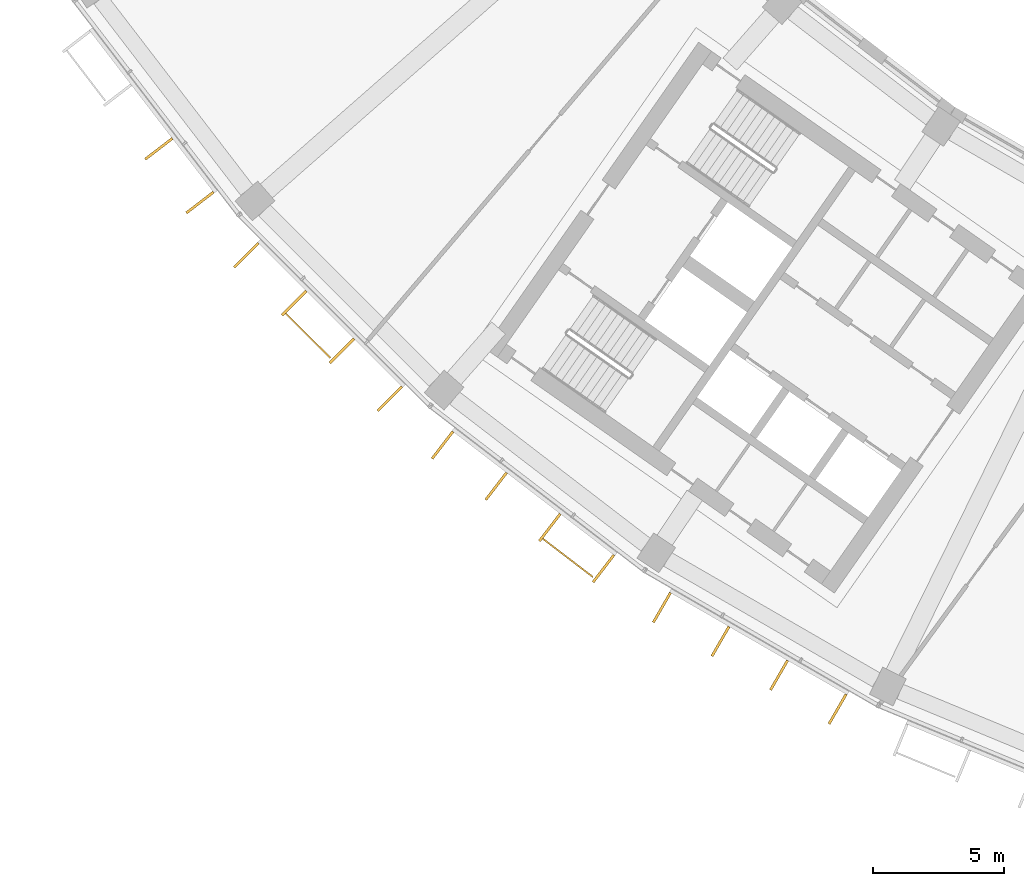
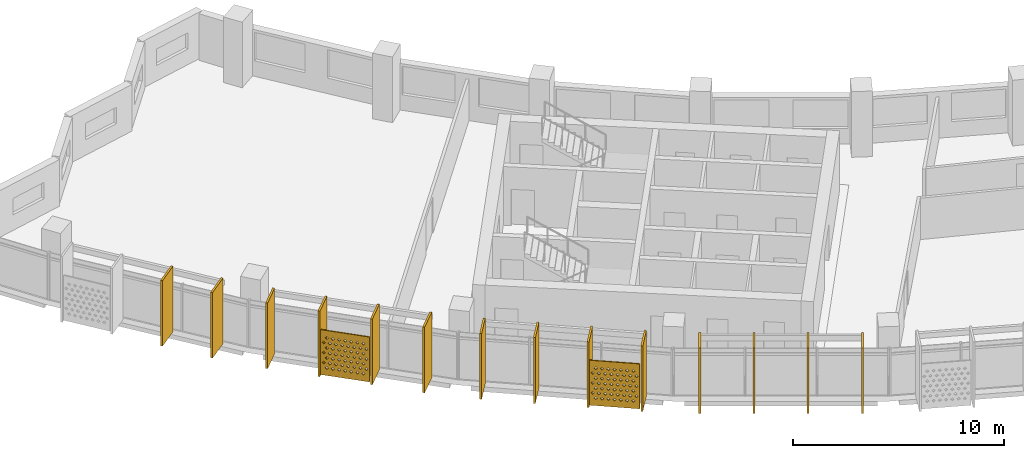
# One storey, part 22 of 28: 16 shading devices.
"""IFC4 building model written with IfcOpenShell, lengths in metres."""

from ifc_helpers import new_model, si_unit, direction, frame, origin, origin_2d, place, context, subcontext, project, spatial, polyline, rectangle, outline, extrude, material, material_profile, profile_set, type_object, element, save


model = new_model("IFC4")

# Units and contexts
model_context = context("Model", 3, precision=1e-05, world=origin(), true_north=direction((0.0, 1.0)))
body_context = subcontext(model_context, "Body", "Model", "MODEL_VIEW")
ifc_project = project(units=[si_unit("LENGTHUNIT", "METRE"), si_unit("AREAUNIT", "SQUARE_METRE"), si_unit("VOLUMEUNIT", "CUBIC_METRE"), si_unit("PLANEANGLEUNIT", "RADIAN"), si_unit("MASSUNIT", "GRAM", prefix="KILO")], contexts=[model_context])

# Site, building, storey
site_placement = place(None, origin())
site = spatial("IfcSite", under=ifc_project, at=site_placement, CompositionType="ELEMENT")
building_placement = place(site_placement, origin())
building = spatial("IfcBuilding", under=site, at=building_placement, Name="Qamariyya Broadcast Tower", CompositionType="ELEMENT")
storey_placement = place(building_placement, frame((0.0, 0.0, 249.300048828125)))
storey = spatial("IfcBuildingStorey", under=building, at=storey_placement, Name="L60", CompositionType="ELEMENT", Elevation=249.300048828125)

# Shading devices
ifc_material_1 = material(Name="Perforated glazed terracotta", Category="masonry")
ifc_material_profile_1 = material_profile(ifc_material_1, outline(polyline([(-1.199951171875, -1.300048828125), (1.199951171875, -1.300048828125), (1.199951171875, 1.300048828125), (-1.199951171875, 1.300048828125), (-1.199951171875, -1.300048828125)]), holes=[polyline([(-0.81494140625, -0.86669921875), (-0.89990234375, -0.78173828125), (-0.985107421875, -0.86669921875), (-0.89990234375, -0.95166015625), (-0.81494140625, -0.86669921875)]), polyline([(-0.514892578125, -0.86669921875), (-0.60009765625, -0.78173828125), (-0.68505859375, -0.86669921875), (-0.60009765625, -0.95166015625), (-0.514892578125, -0.86669921875)]), polyline([(-0.215087890625, -0.86669921875), (-0.300048828125, -0.78173828125), (-0.385009765625, -0.86669921875), (-0.300048828125, -0.95166015625), (-0.215087890625, -0.86669921875)]), polyline([(0.0849609375, -0.86669921875), (0.0, -0.78173828125), (-0.0849609375, -0.86669921875), (0.0, -0.95166015625), (0.0849609375, -0.86669921875)]), polyline([(0.385009765625, -0.86669921875), (0.300048828125, -0.78173828125), (0.215087890625, -0.86669921875), (0.300048828125, -0.95166015625), (0.385009765625, -0.86669921875)]), polyline([(0.68505859375, -0.86669921875), (0.60009765625, -0.78173828125), (0.514892578125, -0.86669921875), (0.60009765625, -0.95166015625), (0.68505859375, -0.86669921875)]), polyline([(0.985107421875, -0.86669921875), (0.89990234375, -0.78173828125), (0.81494140625, -0.86669921875), (0.89990234375, -0.95166015625), (0.985107421875, -0.86669921875)]), polyline([(-0.965087890625, -0.577880859375), (-1.050048828125, -0.49267578125), (-1.135009765625, -0.577880859375), (-1.050048828125, -0.662841796875), (-0.965087890625, -0.577880859375)]), polyline([(-0.6650390625, -0.577880859375), (-0.75, -0.49267578125), (-0.8349609375, -0.577880859375), (-0.75, -0.662841796875), (-0.6650390625, -0.577880859375)]), polyline([(-0.364990234375, -0.577880859375), (-0.449951171875, -0.49267578125), (-0.534912109375, -0.577880859375), (-0.449951171875, -0.662841796875), (-0.364990234375, -0.577880859375)]), polyline([(-0.06494140625, -0.577880859375), (-0.14990234375, -0.49267578125), (-0.235107421875, -0.577880859375), (-0.14990234375, -0.662841796875), (-0.06494140625, -0.577880859375)]), polyline([(0.235107421875, -0.577880859375), (0.14990234375, -0.49267578125), (0.06494140625, -0.577880859375), (0.14990234375, -0.662841796875), (0.235107421875, -0.577880859375)]), polyline([(0.534912109375, -0.577880859375), (0.449951171875, -0.49267578125), (0.364990234375, -0.577880859375), (0.449951171875, -0.662841796875), (0.534912109375, -0.577880859375)]), polyline([(0.8349609375, -0.577880859375), (0.75, -0.49267578125), (0.6650390625, -0.577880859375), (0.75, -0.662841796875), (0.8349609375, -0.577880859375)]), polyline([(1.135009765625, -0.577880859375), (1.050048828125, -0.49267578125), (0.965087890625, -0.577880859375), (1.050048828125, -0.662841796875), (1.135009765625, -0.577880859375)]), polyline([(-0.81494140625, -0.288818359375), (-0.89990234375, -0.203857421875), (-0.985107421875, -0.288818359375), (-0.89990234375, -0.373779296875), (-0.81494140625, -0.288818359375)]), polyline([(-0.514892578125, -0.288818359375), (-0.60009765625, -0.203857421875), (-0.68505859375, -0.288818359375), (-0.60009765625, -0.373779296875), (-0.514892578125, -0.288818359375)]), polyline([(-0.215087890625, -0.288818359375), (-0.300048828125, -0.203857421875), (-0.385009765625, -0.288818359375), (-0.300048828125, -0.373779296875), (-0.215087890625, -0.288818359375)]), polyline([(0.0849609375, -0.288818359375), (0.0, -0.203857421875), (-0.0849609375, -0.288818359375), (0.0, -0.373779296875), (0.0849609375, -0.288818359375)]), polyline([(0.385009765625, -0.288818359375), (0.300048828125, -0.203857421875), (0.215087890625, -0.288818359375), (0.300048828125, -0.373779296875), (0.385009765625, -0.288818359375)]), polyline([(0.68505859375, -0.288818359375), (0.60009765625, -0.203857421875), (0.514892578125, -0.288818359375), (0.60009765625, -0.373779296875), (0.68505859375, -0.288818359375)]), polyline([(0.985107421875, -0.288818359375), (0.89990234375, -0.203857421875), (0.81494140625, -0.288818359375), (0.89990234375, -0.373779296875), (0.985107421875, -0.288818359375)]), polyline([(-0.965087890625, 0.0), (-1.050048828125, 0.0849609375), (-1.135009765625, 0.0), (-1.050048828125, -0.0849609375), (-0.965087890625, 0.0)]), polyline([(-0.6650390625, 0.0), (-0.75, 0.0849609375), (-0.8349609375, 0.0), (-0.75, -0.0849609375), (-0.6650390625, 0.0)]), polyline([(-0.364990234375, 0.0), (-0.449951171875, 0.0849609375), (-0.534912109375, 0.0), (-0.449951171875, -0.0849609375), (-0.364990234375, 0.0)]), polyline([(-0.06494140625, 0.0), (-0.14990234375, 0.0849609375), (-0.235107421875, 0.0), (-0.14990234375, -0.0849609375), (-0.06494140625, 0.0)]), polyline([(0.235107421875, 0.0), (0.14990234375, 0.0849609375), (0.06494140625, 0.0), (0.14990234375, -0.0849609375), (0.235107421875, 0.0)]), polyline([(0.534912109375, 0.0), (0.449951171875, 0.0849609375), (0.364990234375, 0.0), (0.449951171875, -0.0849609375), (0.534912109375, 0.0)]), polyline([(0.8349609375, 0.0), (0.75, 0.0849609375), (0.6650390625, 0.0), (0.75, -0.0849609375), (0.8349609375, 0.0)]), polyline([(1.135009765625, 0.0), (1.050048828125, 0.0849609375), (0.965087890625, 0.0), (1.050048828125, -0.0849609375), (1.135009765625, 0.0)]), polyline([(-0.81494140625, 0.288818359375), (-0.89990234375, 0.373779296875), (-0.985107421875, 0.288818359375), (-0.89990234375, 0.203857421875), (-0.81494140625, 0.288818359375)]), polyline([(-0.514892578125, 0.288818359375), (-0.60009765625, 0.373779296875), (-0.68505859375, 0.288818359375), (-0.60009765625, 0.203857421875), (-0.514892578125, 0.288818359375)]), polyline([(-0.215087890625, 0.288818359375), (-0.300048828125, 0.373779296875), (-0.385009765625, 0.288818359375), (-0.300048828125, 0.203857421875), (-0.215087890625, 0.288818359375)]), polyline([(0.0849609375, 0.288818359375), (0.0, 0.373779296875), (-0.0849609375, 0.288818359375), (0.0, 0.203857421875), (0.0849609375, 0.288818359375)]), polyline([(0.385009765625, 0.288818359375), (0.300048828125, 0.373779296875), (0.215087890625, 0.288818359375), (0.300048828125, 0.203857421875), (0.385009765625, 0.288818359375)]), polyline([(0.68505859375, 0.288818359375), (0.60009765625, 0.373779296875), (0.514892578125, 0.288818359375), (0.60009765625, 0.203857421875), (0.68505859375, 0.288818359375)]), polyline([(0.985107421875, 0.288818359375), (0.89990234375, 0.373779296875), (0.81494140625, 0.288818359375), (0.89990234375, 0.203857421875), (0.985107421875, 0.288818359375)]), polyline([(-0.965087890625, 0.577880859375), (-1.050048828125, 0.662841796875), (-1.135009765625, 0.577880859375), (-1.050048828125, 0.49267578125), (-0.965087890625, 0.577880859375)]), polyline([(-0.6650390625, 0.577880859375), (-0.75, 0.662841796875), (-0.8349609375, 0.577880859375), (-0.75, 0.49267578125), (-0.6650390625, 0.577880859375)]), polyline([(-0.364990234375, 0.577880859375), (-0.449951171875, 0.662841796875), (-0.534912109375, 0.577880859375), (-0.449951171875, 0.49267578125), (-0.364990234375, 0.577880859375)]), polyline([(-0.06494140625, 0.577880859375), (-0.14990234375, 0.662841796875), (-0.235107421875, 0.577880859375), (-0.14990234375, 0.49267578125), (-0.06494140625, 0.577880859375)]), polyline([(0.235107421875, 0.577880859375), (0.14990234375, 0.662841796875), (0.06494140625, 0.577880859375), (0.14990234375, 0.49267578125), (0.235107421875, 0.577880859375)]), polyline([(0.534912109375, 0.577880859375), (0.449951171875, 0.662841796875), (0.364990234375, 0.577880859375), (0.449951171875, 0.49267578125), (0.534912109375, 0.577880859375)]), polyline([(0.8349609375, 0.577880859375), (0.75, 0.662841796875), (0.6650390625, 0.577880859375), (0.75, 0.49267578125), (0.8349609375, 0.577880859375)]), polyline([(1.135009765625, 0.577880859375), (1.050048828125, 0.662841796875), (0.965087890625, 0.577880859375), (1.050048828125, 0.49267578125), (1.135009765625, 0.577880859375)]), polyline([(-0.81494140625, 0.86669921875), (-0.89990234375, 0.95166015625), (-0.985107421875, 0.86669921875), (-0.89990234375, 0.78173828125), (-0.81494140625, 0.86669921875)]), polyline([(-0.514892578125, 0.86669921875), (-0.60009765625, 0.95166015625), (-0.68505859375, 0.86669921875), (-0.60009765625, 0.78173828125), (-0.514892578125, 0.86669921875)]), polyline([(-0.215087890625, 0.86669921875), (-0.300048828125, 0.95166015625), (-0.385009765625, 0.86669921875), (-0.300048828125, 0.78173828125), (-0.215087890625, 0.86669921875)]), polyline([(0.0849609375, 0.86669921875), (0.0, 0.95166015625), (-0.0849609375, 0.86669921875), (0.0, 0.78173828125), (0.0849609375, 0.86669921875)]), polyline([(0.385009765625, 0.86669921875), (0.300048828125, 0.95166015625), (0.215087890625, 0.86669921875), (0.300048828125, 0.78173828125), (0.385009765625, 0.86669921875)]), polyline([(0.68505859375, 0.86669921875), (0.60009765625, 0.95166015625), (0.514892578125, 0.86669921875), (0.60009765625, 0.78173828125), (0.68505859375, 0.86669921875)]), polyline([(0.985107421875, 0.86669921875), (0.89990234375, 0.95166015625), (0.81494140625, 0.86669921875), (0.89990234375, 0.78173828125), (0.985107421875, 0.86669921875)])]))
ifc_profile_set_1 = profile_set([ifc_material_profile_1], Name="Perforated glazed terracotta")
shading_device_type_1 = type_object("IfcShadingDeviceType", Name="Perforated terracotta screen 2400 x 2600", PredefinedType="USERDEFINED", material=ifc_profile_set_1)
shading_device_1_placement = place(storey_placement, frame((-56.41845703125, -56.367431640625, 1.349853515625), z_axis=(-0.705066081692, -0.709141608176, 0.0), x_axis=(0.709141608176, -0.705066081692, 0.0)))
element("IfcShadingDevice", 1, at=shading_device_1_placement, inside=storey, type_object=shading_device_type_1, Name="e-scr-L60-02-1", ObjectType="SCREEN", PredefinedType="USERDEFINED", context=body_context, shape_type="SweptSolid", body=[
    extrude(outline(polyline([(-1.199951171875, -1.300048828125), (1.199951171875, -1.300048828125), (1.199951171875, 1.300048828125), (-1.199951171875, 1.300048828125), (-1.199951171875, -1.300048828125)]), holes=[polyline([(-0.81494140625, -0.86669921875), (-0.89990234375, -0.78173828125), (-0.985107421875, -0.86669921875), (-0.89990234375, -0.95166015625), (-0.81494140625, -0.86669921875)]), polyline([(-0.514892578125, -0.86669921875), (-0.60009765625, -0.78173828125), (-0.68505859375, -0.86669921875), (-0.60009765625, -0.95166015625), (-0.514892578125, -0.86669921875)]), polyline([(-0.215087890625, -0.86669921875), (-0.300048828125, -0.78173828125), (-0.385009765625, -0.86669921875), (-0.300048828125, -0.95166015625), (-0.215087890625, -0.86669921875)]), polyline([(0.0849609375, -0.86669921875), (0.0, -0.78173828125), (-0.0849609375, -0.86669921875), (0.0, -0.95166015625), (0.0849609375, -0.86669921875)]), polyline([(0.385009765625, -0.86669921875), (0.300048828125, -0.78173828125), (0.215087890625, -0.86669921875), (0.300048828125, -0.95166015625), (0.385009765625, -0.86669921875)]), polyline([(0.68505859375, -0.86669921875), (0.60009765625, -0.78173828125), (0.514892578125, -0.86669921875), (0.60009765625, -0.95166015625), (0.68505859375, -0.86669921875)]), polyline([(0.985107421875, -0.86669921875), (0.89990234375, -0.78173828125), (0.81494140625, -0.86669921875), (0.89990234375, -0.95166015625), (0.985107421875, -0.86669921875)]), polyline([(-0.965087890625, -0.577880859375), (-1.050048828125, -0.49267578125), (-1.135009765625, -0.577880859375), (-1.050048828125, -0.662841796875), (-0.965087890625, -0.577880859375)]), polyline([(-0.6650390625, -0.577880859375), (-0.75, -0.49267578125), (-0.8349609375, -0.577880859375), (-0.75, -0.662841796875), (-0.6650390625, -0.577880859375)]), polyline([(-0.364990234375, -0.577880859375), (-0.449951171875, -0.49267578125), (-0.534912109375, -0.577880859375), (-0.449951171875, -0.662841796875), (-0.364990234375, -0.577880859375)]), polyline([(-0.06494140625, -0.577880859375), (-0.14990234375, -0.49267578125), (-0.235107421875, -0.577880859375), (-0.14990234375, -0.662841796875), (-0.06494140625, -0.577880859375)]), polyline([(0.235107421875, -0.577880859375), (0.14990234375, -0.49267578125), (0.06494140625, -0.577880859375), (0.14990234375, -0.662841796875), (0.235107421875, -0.577880859375)]), polyline([(0.534912109375, -0.577880859375), (0.449951171875, -0.49267578125), (0.364990234375, -0.577880859375), (0.449951171875, -0.662841796875), (0.534912109375, -0.577880859375)]), polyline([(0.8349609375, -0.577880859375), (0.75, -0.49267578125), (0.6650390625, -0.577880859375), (0.75, -0.662841796875), (0.8349609375, -0.577880859375)]), polyline([(1.135009765625, -0.577880859375), (1.050048828125, -0.49267578125), (0.965087890625, -0.577880859375), (1.050048828125, -0.662841796875), (1.135009765625, -0.577880859375)]), polyline([(-0.81494140625, -0.288818359375), (-0.89990234375, -0.203857421875), (-0.985107421875, -0.288818359375), (-0.89990234375, -0.373779296875), (-0.81494140625, -0.288818359375)]), polyline([(-0.514892578125, -0.288818359375), (-0.60009765625, -0.203857421875), (-0.68505859375, -0.288818359375), (-0.60009765625, -0.373779296875), (-0.514892578125, -0.288818359375)]), polyline([(-0.215087890625, -0.288818359375), (-0.300048828125, -0.203857421875), (-0.385009765625, -0.288818359375), (-0.300048828125, -0.373779296875), (-0.215087890625, -0.288818359375)]), polyline([(0.0849609375, -0.288818359375), (0.0, -0.203857421875), (-0.0849609375, -0.288818359375), (0.0, -0.373779296875), (0.0849609375, -0.288818359375)]), polyline([(0.385009765625, -0.288818359375), (0.300048828125, -0.203857421875), (0.215087890625, -0.288818359375), (0.300048828125, -0.373779296875), (0.385009765625, -0.288818359375)]), polyline([(0.68505859375, -0.288818359375), (0.60009765625, -0.203857421875), (0.514892578125, -0.288818359375), (0.60009765625, -0.373779296875), (0.68505859375, -0.288818359375)]), polyline([(0.985107421875, -0.288818359375), (0.89990234375, -0.203857421875), (0.81494140625, -0.288818359375), (0.89990234375, -0.373779296875), (0.985107421875, -0.288818359375)]), polyline([(-0.965087890625, 0.0), (-1.050048828125, 0.0849609375), (-1.135009765625, 0.0), (-1.050048828125, -0.0849609375), (-0.965087890625, 0.0)]), polyline([(-0.6650390625, 0.0), (-0.75, 0.0849609375), (-0.8349609375, 0.0), (-0.75, -0.0849609375), (-0.6650390625, 0.0)]), polyline([(-0.364990234375, 0.0), (-0.449951171875, 0.0849609375), (-0.534912109375, 0.0), (-0.449951171875, -0.0849609375), (-0.364990234375, 0.0)]), polyline([(-0.06494140625, 0.0), (-0.14990234375, 0.0849609375), (-0.235107421875, 0.0), (-0.14990234375, -0.0849609375), (-0.06494140625, 0.0)]), polyline([(0.235107421875, 0.0), (0.14990234375, 0.0849609375), (0.06494140625, 0.0), (0.14990234375, -0.0849609375), (0.235107421875, 0.0)]), polyline([(0.534912109375, 0.0), (0.449951171875, 0.0849609375), (0.364990234375, 0.0), (0.449951171875, -0.0849609375), (0.534912109375, 0.0)]), polyline([(0.8349609375, 0.0), (0.75, 0.0849609375), (0.6650390625, 0.0), (0.75, -0.0849609375), (0.8349609375, 0.0)]), polyline([(1.135009765625, 0.0), (1.050048828125, 0.0849609375), (0.965087890625, 0.0), (1.050048828125, -0.0849609375), (1.135009765625, 0.0)]), polyline([(-0.81494140625, 0.288818359375), (-0.89990234375, 0.373779296875), (-0.985107421875, 0.288818359375), (-0.89990234375, 0.203857421875), (-0.81494140625, 0.288818359375)]), polyline([(-0.514892578125, 0.288818359375), (-0.60009765625, 0.373779296875), (-0.68505859375, 0.288818359375), (-0.60009765625, 0.203857421875), (-0.514892578125, 0.288818359375)]), polyline([(-0.215087890625, 0.288818359375), (-0.300048828125, 0.373779296875), (-0.385009765625, 0.288818359375), (-0.300048828125, 0.203857421875), (-0.215087890625, 0.288818359375)]), polyline([(0.0849609375, 0.288818359375), (0.0, 0.373779296875), (-0.0849609375, 0.288818359375), (0.0, 0.203857421875), (0.0849609375, 0.288818359375)]), polyline([(0.385009765625, 0.288818359375), (0.300048828125, 0.373779296875), (0.215087890625, 0.288818359375), (0.300048828125, 0.203857421875), (0.385009765625, 0.288818359375)]), polyline([(0.68505859375, 0.288818359375), (0.60009765625, 0.373779296875), (0.514892578125, 0.288818359375), (0.60009765625, 0.203857421875), (0.68505859375, 0.288818359375)]), polyline([(0.985107421875, 0.288818359375), (0.89990234375, 0.373779296875), (0.81494140625, 0.288818359375), (0.89990234375, 0.203857421875), (0.985107421875, 0.288818359375)]), polyline([(-0.965087890625, 0.577880859375), (-1.050048828125, 0.662841796875), (-1.135009765625, 0.577880859375), (-1.050048828125, 0.49267578125), (-0.965087890625, 0.577880859375)]), polyline([(-0.6650390625, 0.577880859375), (-0.75, 0.662841796875), (-0.8349609375, 0.577880859375), (-0.75, 0.49267578125), (-0.6650390625, 0.577880859375)]), polyline([(-0.364990234375, 0.577880859375), (-0.449951171875, 0.662841796875), (-0.534912109375, 0.577880859375), (-0.449951171875, 0.49267578125), (-0.364990234375, 0.577880859375)]), polyline([(-0.06494140625, 0.577880859375), (-0.14990234375, 0.662841796875), (-0.235107421875, 0.577880859375), (-0.14990234375, 0.49267578125), (-0.06494140625, 0.577880859375)]), polyline([(0.235107421875, 0.577880859375), (0.14990234375, 0.662841796875), (0.06494140625, 0.577880859375), (0.14990234375, 0.49267578125), (0.235107421875, 0.577880859375)]), polyline([(0.534912109375, 0.577880859375), (0.449951171875, 0.662841796875), (0.364990234375, 0.577880859375), (0.449951171875, 0.49267578125), (0.534912109375, 0.577880859375)]), polyline([(0.8349609375, 0.577880859375), (0.75, 0.662841796875), (0.6650390625, 0.577880859375), (0.75, 0.49267578125), (0.8349609375, 0.577880859375)]), polyline([(1.135009765625, 0.577880859375), (1.050048828125, 0.662841796875), (0.965087890625, 0.577880859375), (1.050048828125, 0.49267578125), (1.135009765625, 0.577880859375)]), polyline([(-0.81494140625, 0.86669921875), (-0.89990234375, 0.95166015625), (-0.985107421875, 0.86669921875), (-0.89990234375, 0.78173828125), (-0.81494140625, 0.86669921875)]), polyline([(-0.514892578125, 0.86669921875), (-0.60009765625, 0.95166015625), (-0.68505859375, 0.86669921875), (-0.60009765625, 0.78173828125), (-0.514892578125, 0.86669921875)]), polyline([(-0.215087890625, 0.86669921875), (-0.300048828125, 0.95166015625), (-0.385009765625, 0.86669921875), (-0.300048828125, 0.78173828125), (-0.215087890625, 0.86669921875)]), polyline([(0.0849609375, 0.86669921875), (0.0, 0.95166015625), (-0.0849609375, 0.86669921875), (0.0, 0.78173828125), (0.0849609375, 0.86669921875)]), polyline([(0.385009765625, 0.86669921875), (0.300048828125, 0.95166015625), (0.215087890625, 0.86669921875), (0.300048828125, 0.78173828125), (0.385009765625, 0.86669921875)]), polyline([(0.68505859375, 0.86669921875), (0.60009765625, 0.95166015625), (0.514892578125, 0.86669921875), (0.60009765625, 0.78173828125), (0.68505859375, 0.86669921875)]), polyline([(0.985107421875, 0.86669921875), (0.89990234375, 0.95166015625), (0.81494140625, 0.86669921875), (0.89990234375, 0.78173828125), (0.985107421875, 0.86669921875)])]), origin(), (0.0, 0.0, 1.0), 0.059814453125),
])
shading_device_2_placement = place(storey_placement, frame((-46.537841796875, -64.81494140625, 1.349853515625), z_axis=(-0.607147566278, -0.794589096806, 0.0), x_axis=(0.794589096806, -0.607147566278, 0.0)))
element("IfcShadingDevice", 2, at=shading_device_2_placement, inside=storey, type_object=shading_device_type_1, Name="e-scr-L60-03-2", ObjectType="SCREEN", PredefinedType="USERDEFINED", context=body_context, shape_type="SweptSolid", body=[
    extrude(outline(polyline([(-1.199951171875, -1.300048828125), (1.199951171875, -1.300048828125), (1.199951171875, 1.300048828125), (-1.199951171875, 1.300048828125), (-1.199951171875, -1.300048828125)]), holes=[polyline([(-0.81494140625, -0.86669921875), (-0.89990234375, -0.78173828125), (-0.985107421875, -0.86669921875), (-0.89990234375, -0.95166015625), (-0.81494140625, -0.86669921875)]), polyline([(-0.514892578125, -0.86669921875), (-0.60009765625, -0.78173828125), (-0.68505859375, -0.86669921875), (-0.60009765625, -0.95166015625), (-0.514892578125, -0.86669921875)]), polyline([(-0.215087890625, -0.86669921875), (-0.300048828125, -0.78173828125), (-0.385009765625, -0.86669921875), (-0.300048828125, -0.95166015625), (-0.215087890625, -0.86669921875)]), polyline([(0.0849609375, -0.86669921875), (0.0, -0.78173828125), (-0.0849609375, -0.86669921875), (0.0, -0.95166015625), (0.0849609375, -0.86669921875)]), polyline([(0.385009765625, -0.86669921875), (0.300048828125, -0.78173828125), (0.215087890625, -0.86669921875), (0.300048828125, -0.95166015625), (0.385009765625, -0.86669921875)]), polyline([(0.68505859375, -0.86669921875), (0.60009765625, -0.78173828125), (0.514892578125, -0.86669921875), (0.60009765625, -0.95166015625), (0.68505859375, -0.86669921875)]), polyline([(0.985107421875, -0.86669921875), (0.89990234375, -0.78173828125), (0.81494140625, -0.86669921875), (0.89990234375, -0.95166015625), (0.985107421875, -0.86669921875)]), polyline([(-0.965087890625, -0.577880859375), (-1.050048828125, -0.49267578125), (-1.135009765625, -0.577880859375), (-1.050048828125, -0.662841796875), (-0.965087890625, -0.577880859375)]), polyline([(-0.6650390625, -0.577880859375), (-0.75, -0.49267578125), (-0.8349609375, -0.577880859375), (-0.75, -0.662841796875), (-0.6650390625, -0.577880859375)]), polyline([(-0.364990234375, -0.577880859375), (-0.449951171875, -0.49267578125), (-0.534912109375, -0.577880859375), (-0.449951171875, -0.662841796875), (-0.364990234375, -0.577880859375)]), polyline([(-0.06494140625, -0.577880859375), (-0.14990234375, -0.49267578125), (-0.235107421875, -0.577880859375), (-0.14990234375, -0.662841796875), (-0.06494140625, -0.577880859375)]), polyline([(0.235107421875, -0.577880859375), (0.14990234375, -0.49267578125), (0.06494140625, -0.577880859375), (0.14990234375, -0.662841796875), (0.235107421875, -0.577880859375)]), polyline([(0.534912109375, -0.577880859375), (0.449951171875, -0.49267578125), (0.364990234375, -0.577880859375), (0.449951171875, -0.662841796875), (0.534912109375, -0.577880859375)]), polyline([(0.8349609375, -0.577880859375), (0.75, -0.49267578125), (0.6650390625, -0.577880859375), (0.75, -0.662841796875), (0.8349609375, -0.577880859375)]), polyline([(1.135009765625, -0.577880859375), (1.050048828125, -0.49267578125), (0.965087890625, -0.577880859375), (1.050048828125, -0.662841796875), (1.135009765625, -0.577880859375)]), polyline([(-0.81494140625, -0.288818359375), (-0.89990234375, -0.203857421875), (-0.985107421875, -0.288818359375), (-0.89990234375, -0.373779296875), (-0.81494140625, -0.288818359375)]), polyline([(-0.514892578125, -0.288818359375), (-0.60009765625, -0.203857421875), (-0.68505859375, -0.288818359375), (-0.60009765625, -0.373779296875), (-0.514892578125, -0.288818359375)]), polyline([(-0.215087890625, -0.288818359375), (-0.300048828125, -0.203857421875), (-0.385009765625, -0.288818359375), (-0.300048828125, -0.373779296875), (-0.215087890625, -0.288818359375)]), polyline([(0.0849609375, -0.288818359375), (0.0, -0.203857421875), (-0.0849609375, -0.288818359375), (0.0, -0.373779296875), (0.0849609375, -0.288818359375)]), polyline([(0.385009765625, -0.288818359375), (0.300048828125, -0.203857421875), (0.215087890625, -0.288818359375), (0.300048828125, -0.373779296875), (0.385009765625, -0.288818359375)]), polyline([(0.68505859375, -0.288818359375), (0.60009765625, -0.203857421875), (0.514892578125, -0.288818359375), (0.60009765625, -0.373779296875), (0.68505859375, -0.288818359375)]), polyline([(0.985107421875, -0.288818359375), (0.89990234375, -0.203857421875), (0.81494140625, -0.288818359375), (0.89990234375, -0.373779296875), (0.985107421875, -0.288818359375)]), polyline([(-0.965087890625, 0.0), (-1.050048828125, 0.0849609375), (-1.135009765625, 0.0), (-1.050048828125, -0.0849609375), (-0.965087890625, 0.0)]), polyline([(-0.6650390625, 0.0), (-0.75, 0.0849609375), (-0.8349609375, 0.0), (-0.75, -0.0849609375), (-0.6650390625, 0.0)]), polyline([(-0.364990234375, 0.0), (-0.449951171875, 0.0849609375), (-0.534912109375, 0.0), (-0.449951171875, -0.0849609375), (-0.364990234375, 0.0)]), polyline([(-0.06494140625, 0.0), (-0.14990234375, 0.0849609375), (-0.235107421875, 0.0), (-0.14990234375, -0.0849609375), (-0.06494140625, 0.0)]), polyline([(0.235107421875, 0.0), (0.14990234375, 0.0849609375), (0.06494140625, 0.0), (0.14990234375, -0.0849609375), (0.235107421875, 0.0)]), polyline([(0.534912109375, 0.0), (0.449951171875, 0.0849609375), (0.364990234375, 0.0), (0.449951171875, -0.0849609375), (0.534912109375, 0.0)]), polyline([(0.8349609375, 0.0), (0.75, 0.0849609375), (0.6650390625, 0.0), (0.75, -0.0849609375), (0.8349609375, 0.0)]), polyline([(1.135009765625, 0.0), (1.050048828125, 0.0849609375), (0.965087890625, 0.0), (1.050048828125, -0.0849609375), (1.135009765625, 0.0)]), polyline([(-0.81494140625, 0.288818359375), (-0.89990234375, 0.373779296875), (-0.985107421875, 0.288818359375), (-0.89990234375, 0.203857421875), (-0.81494140625, 0.288818359375)]), polyline([(-0.514892578125, 0.288818359375), (-0.60009765625, 0.373779296875), (-0.68505859375, 0.288818359375), (-0.60009765625, 0.203857421875), (-0.514892578125, 0.288818359375)]), polyline([(-0.215087890625, 0.288818359375), (-0.300048828125, 0.373779296875), (-0.385009765625, 0.288818359375), (-0.300048828125, 0.203857421875), (-0.215087890625, 0.288818359375)]), polyline([(0.0849609375, 0.288818359375), (0.0, 0.373779296875), (-0.0849609375, 0.288818359375), (0.0, 0.203857421875), (0.0849609375, 0.288818359375)]), polyline([(0.385009765625, 0.288818359375), (0.300048828125, 0.373779296875), (0.215087890625, 0.288818359375), (0.300048828125, 0.203857421875), (0.385009765625, 0.288818359375)]), polyline([(0.68505859375, 0.288818359375), (0.60009765625, 0.373779296875), (0.514892578125, 0.288818359375), (0.60009765625, 0.203857421875), (0.68505859375, 0.288818359375)]), polyline([(0.985107421875, 0.288818359375), (0.89990234375, 0.373779296875), (0.81494140625, 0.288818359375), (0.89990234375, 0.203857421875), (0.985107421875, 0.288818359375)]), polyline([(-0.965087890625, 0.577880859375), (-1.050048828125, 0.662841796875), (-1.135009765625, 0.577880859375), (-1.050048828125, 0.49267578125), (-0.965087890625, 0.577880859375)]), polyline([(-0.6650390625, 0.577880859375), (-0.75, 0.662841796875), (-0.8349609375, 0.577880859375), (-0.75, 0.49267578125), (-0.6650390625, 0.577880859375)]), polyline([(-0.364990234375, 0.577880859375), (-0.449951171875, 0.662841796875), (-0.534912109375, 0.577880859375), (-0.449951171875, 0.49267578125), (-0.364990234375, 0.577880859375)]), polyline([(-0.06494140625, 0.577880859375), (-0.14990234375, 0.662841796875), (-0.235107421875, 0.577880859375), (-0.14990234375, 0.49267578125), (-0.06494140625, 0.577880859375)]), polyline([(0.235107421875, 0.577880859375), (0.14990234375, 0.662841796875), (0.06494140625, 0.577880859375), (0.14990234375, 0.49267578125), (0.235107421875, 0.577880859375)]), polyline([(0.534912109375, 0.577880859375), (0.449951171875, 0.662841796875), (0.364990234375, 0.577880859375), (0.449951171875, 0.49267578125), (0.534912109375, 0.577880859375)]), polyline([(0.8349609375, 0.577880859375), (0.75, 0.662841796875), (0.6650390625, 0.577880859375), (0.75, 0.49267578125), (0.8349609375, 0.577880859375)]), polyline([(1.135009765625, 0.577880859375), (1.050048828125, 0.662841796875), (0.965087890625, 0.577880859375), (1.050048828125, 0.49267578125), (1.135009765625, 0.577880859375)]), polyline([(-0.81494140625, 0.86669921875), (-0.89990234375, 0.95166015625), (-0.985107421875, 0.86669921875), (-0.89990234375, 0.78173828125), (-0.81494140625, 0.86669921875)]), polyline([(-0.514892578125, 0.86669921875), (-0.60009765625, 0.95166015625), (-0.68505859375, 0.86669921875), (-0.60009765625, 0.78173828125), (-0.514892578125, 0.86669921875)]), polyline([(-0.215087890625, 0.86669921875), (-0.300048828125, 0.95166015625), (-0.385009765625, 0.86669921875), (-0.300048828125, 0.78173828125), (-0.215087890625, 0.86669921875)]), polyline([(0.0849609375, 0.86669921875), (0.0, 0.95166015625), (-0.0849609375, 0.86669921875), (0.0, 0.78173828125), (0.0849609375, 0.86669921875)]), polyline([(0.385009765625, 0.86669921875), (0.300048828125, 0.95166015625), (0.215087890625, 0.86669921875), (0.300048828125, 0.78173828125), (0.385009765625, 0.86669921875)]), polyline([(0.68505859375, 0.86669921875), (0.60009765625, 0.95166015625), (0.514892578125, 0.86669921875), (0.60009765625, 0.78173828125), (0.68505859375, 0.86669921875)]), polyline([(0.985107421875, 0.86669921875), (0.89990234375, 0.95166015625), (0.81494140625, 0.86669921875), (0.89990234375, 0.78173828125), (0.985107421875, 0.86669921875)])]), origin(), (0.0, 0.0, 1.0), 0.059814453125),
])
ifc_material_2 = material(Name="Glazed terracotta", Category="masonry")
ifc_material_profile_2 = material_profile(ifc_material_2, rectangle(XDim=1.300048828125, YDim=0.10009765625, at=origin_2d()))
ifc_profile_set_2 = profile_set([ifc_material_profile_2], Name="Glazed terracotta")
shading_device_type_2 = type_object("IfcShadingDeviceType", Name="Terracotta fin 100 x 1300", PredefinedType="USERDEFINED", material=ifc_profile_set_2)
for number, where, z_axis, x_axis, name in (
    (3, (-62.115478515625, -49.283935546875, 0.0), (0.0, 0.0, 1.0), (-0.793353340291, -0.608761429009, 0.0), "e-fin-L60-01-2"),
    (4, (-60.5498046875, -51.32421875, 0.0), (0.0, 0.0, 1.0), (-0.793353340291, -0.608761429009, 0.0), "e-fin-L60-01-3"),
    (5, (-58.78857421875, -53.33251953125, 0.0), (0.0, 0.0, 1.0), (-0.707106781187, -0.707106781187, 0.0), "e-fin-L60-02-0"),
    (6, (-56.969970703125, -55.151123046875, 0.0), (0.0, 0.0, 1.0), (-0.707106781187, -0.707106781187, 0.0), "e-fin-L60-02-1"),
    (7, (-55.151123046875, -56.969970703125, 0.0), (0.0, 0.0, 1.0), (-0.707106781187, -0.707106781187, 0.0), "e-fin-L60-02-2"),
    (8, (-53.33251953125, -58.78857421875, 0.0), (0.0, 0.0, 1.0), (-0.707106781187, -0.707106781187, 0.0), "e-fin-L60-02-3"),
    (9, (-51.32421875, -60.5498046875, 0.0), (0.0, 0.0, 1.0), (-0.608761429009, -0.793353340291, 0.0), "e-fin-L60-03-0"),
    (10, (-49.283935546875, -62.115478515625, 0.0), (0.0, 0.0, 1.0), (-0.608761429009, -0.793353340291, 0.0), "e-fin-L60-03-1"),
    (11, (-47.243408203125, -63.68115234375, 0.0), (0.0, 0.0, 1.0), (-0.608761429009, -0.793353340291, 0.0), "e-fin-L60-03-2"),
    (12, (-45.202880859375, -65.246826171875, 0.0), (0.0, 0.0, 1.0), (-0.608761429009, -0.793353340291, 0.0), "e-fin-L60-03-3"),
    (13, (-42.98193359375, -66.73095703125, 0.0), (0.0, 0.0, 1.0), (-0.5, -0.866025403784, 0.0), "e-fin-L60-04-0"),
    (14, (-40.75439453125, -68.016845703125, 0.0), (0.0, 0.0, 1.0), (-0.5, -0.866025403784, 0.0), "e-fin-L60-04-1"),
    (15, (-38.527099609375, -69.302978515625, 0.0), (0.0, 0.0, 1.0), (-0.5, -0.866025403784, 0.0), "e-fin-L60-04-2"),
    (16, (-36.2998046875, -70.5888671875, 0.0), (0.0, 0.0, 1.0), (-0.5, -0.866025403784, 0.0), "e-fin-L60-04-3"),
):
    element("IfcShadingDevice", number, at=place(storey_placement, frame(where, z_axis=z_axis, x_axis=x_axis)), inside=storey, type_object=shading_device_type_2, Name=name, ObjectType="FIN", PredefinedType="USERDEFINED", context=body_context, shape_type="SweptSolid", body=[
        extrude(rectangle(XDim=1.300048828125, YDim=0.10009765625, at=origin_2d()), origin(), (0.0, 0.0, 1.0), 3.800048828125),
    ])

save(model, "model.ifc")
